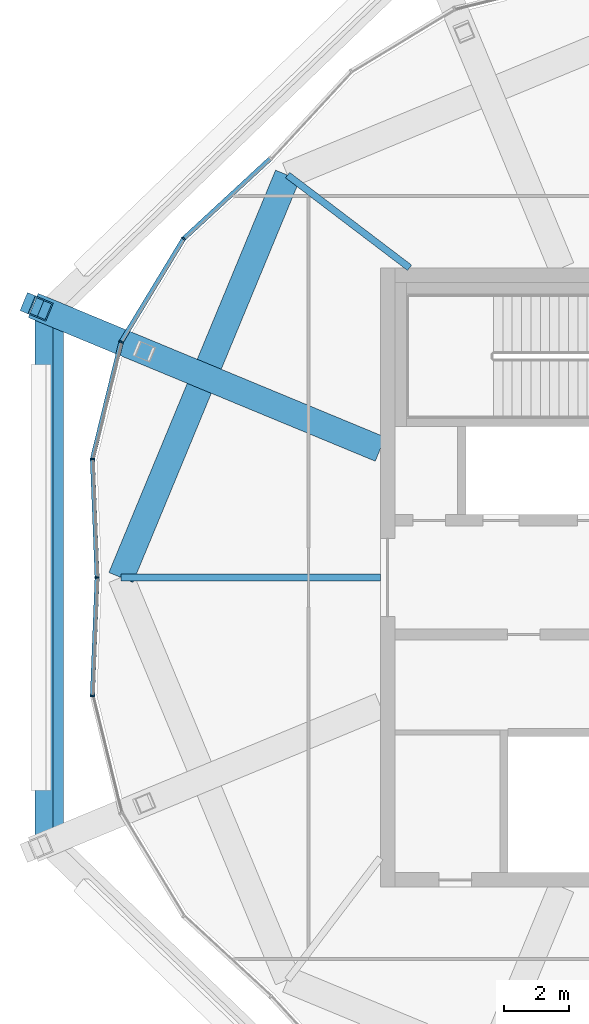
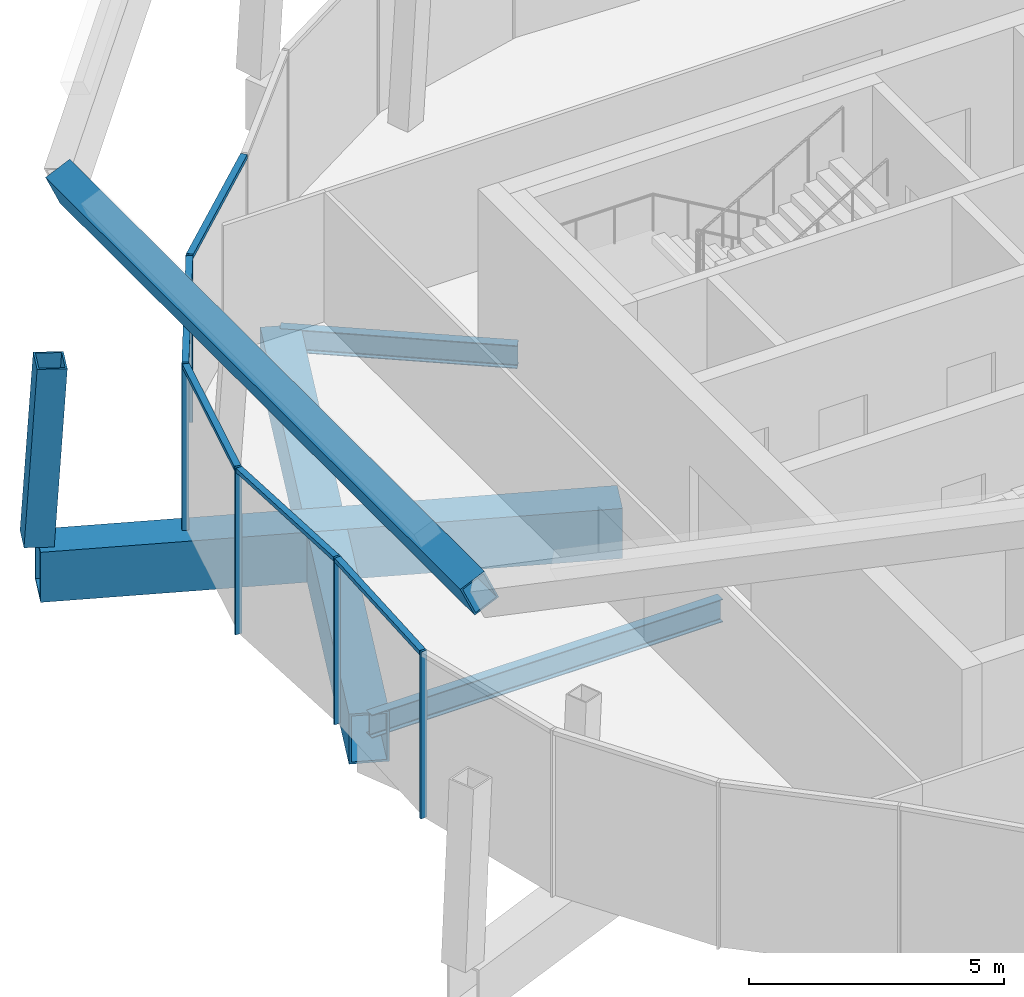
# One storey, part 5 of 34: 11 members, 5 beams, 2 elements without a shape of their own.
"""IFC4 building model written with IfcOpenShell, lengths in metres."""

from ifc_helpers import new_model, si_unit, direction, frame, origin, origin_2d, place, context, subcontext, project, spatial, rectangle, hollow_rectangle, i_section, extrude, material, material_profile, profile_set, type_object, element, aggregate, save


model = new_model("IFC4")

# Units and contexts
model_context = context("Model", 3, precision=1e-05, world=origin(), true_north=direction((0.0, 1.0)))
body_context = subcontext(model_context, "Body", "Model", "MODEL_VIEW")
ifc_project = project(units=[si_unit("LENGTHUNIT", "METRE"), si_unit("AREAUNIT", "SQUARE_METRE"), si_unit("VOLUMEUNIT", "CUBIC_METRE"), si_unit("PLANEANGLEUNIT", "RADIAN"), si_unit("MASSUNIT", "GRAM", prefix="KILO")], contexts=[model_context])

# Site, building, storey
site_placement = place(None, origin())
site = spatial("IfcSite", under=ifc_project, at=site_placement, CompositionType="ELEMENT")
building_placement = place(site_placement, origin())
building = spatial("IfcBuilding", under=site, at=building_placement, Name="Ogive Gate Towers", CompositionType="ELEMENT")
storey_placement = place(building_placement, frame((0.0, 0.0, 294.0)))
storey = spatial("IfcBuildingStorey", under=building, at=storey_placement, Name="L69", CompositionType="ELEMENT", Elevation=294.0)

# Curtain wall, members
ifc_material_1 = material(Name="Pale metal aluminium", Category="aluminium")
curtain_wall_type = type_object("IfcCurtainWallType", Name="Crown lean wall", PredefinedType="NOTDEFINED", material=ifc_material_1)
curtain_wall_1_placement = place(storey_placement, origin())
curtain_wall_1 = element("IfcCurtainWall", 1, at=curtain_wall_1_placement, inside=storey, type_object=curtain_wall_type, Name="CW5 T1 ECW04", PredefinedType="NOTDEFINED")
ifc_material_profile_1 = material_profile(ifc_material_1, rectangle(XDim=0.139892578125, YDim=0.050048828125, at=origin_2d()), Name="50 x 140 aluminium box")
ifc_profile_set_1 = profile_set([ifc_material_profile_1], Name="Pale metal aluminium")
member_type_1 = type_object("IfcMemberType", Name="Crown lean wall mullion 50 x 140", PredefinedType="MULLION", material=ifc_profile_set_1)
member_1_placement = place(storey_placement, frame((-54.18505859375, -0.001220703125, -0.300048828125), z_axis=(0.0, 0.0, 1.0), x_axis=(0.999215271104, 0.039608610093, 0.0)))
member_1 = element("IfcMember", 2, at=member_1_placement, type_object=member_type_1, Name="CW5 mullion", PredefinedType="MULLION", context=body_context, shape_type="SweptSolid", body=[
    extrude(rectangle(XDim=0.139892578125, YDim=0.050048828125, at=origin_2d()), origin(), (0.0, 0.0, 1.0), 4.0),
])
member_2_placement = place(storey_placement, frame((-54.328857421875, 3.633056640625, -0.300048828125), z_axis=(0.0, 0.0, 1.0), x_axis=(0.99497725752, -0.100101233848, 0.0)))
member_2 = element("IfcMember", 3, at=member_2_placement, type_object=member_type_1, Name="CW5 mullion", PredefinedType="MULLION", context=body_context, shape_type="SweptSolid", body=[
    extrude(rectangle(XDim=0.139892578125, YDim=0.050048828125, at=origin_2d()), origin(), (0.0, 0.0, 1.0), 4.0),
])
member_3_placement = place(storey_placement, frame((-53.448486328125, 7.227294921875, -0.300048828125), z_axis=(0.0, 0.0, 1.0), x_axis=(0.923879532511, -0.382683432365, 0.0)))
member_3 = element("IfcMember", 4, at=member_3_placement, type_object=member_type_1, Name="CW5 mullion", PredefinedType="MULLION", context=body_context, shape_type="SweptSolid", body=[
    extrude(rectangle(XDim=0.139892578125, YDim=0.050048828125, at=origin_2d()), origin(), (0.0, 0.0, 1.0), 4.0),
])
member_4_placement = place(storey_placement, frame((-51.529296875, 10.3916015625, -0.300048828125), z_axis=(0.0, 0.0, 1.0), x_axis=(0.77434847103, -0.632759389826, 0.0)))
member_4 = element("IfcMember", 5, at=member_4_placement, type_object=member_type_1, Name="CW5 mullion", PredefinedType="MULLION", context=body_context, shape_type="SweptSolid", body=[
    extrude(rectangle(XDim=0.139892578125, YDim=0.050048828125, at=origin_2d()), origin(), (0.0, 0.0, 1.0), 4.0),
])

# Curtain wall, member
curtain_wall_2_placement = place(storey_placement, origin())
curtain_wall_2 = element("IfcCurtainWall", 6, at=curtain_wall_2_placement, inside=storey, type_object=curtain_wall_type, Name="CW5 T1 ECW05", PredefinedType="NOTDEFINED")
member_5_placement = place(storey_placement, frame((-54.328857421875, -3.633056640625, -0.300048828125), z_axis=(0.0, 0.0, 1.0), x_axis=(0.99497725752, 0.100101233848, 0.0)))
member_5 = element("IfcMember", 7, at=member_5_placement, type_object=member_type_1, Name="CW5 mullion", PredefinedType="MULLION", context=body_context, shape_type="SweptSolid", body=[
    extrude(rectangle(XDim=0.139892578125, YDim=0.050048828125, at=origin_2d()), origin(), (0.0, 0.0, 1.0), 4.0),
])

# Member
ifc_material_profile_2 = material_profile(ifc_material_1, rectangle(XDim=0.139892578125, YDim=0.10009765625, at=origin_2d()), Name="100 x 140 aluminium box")
ifc_profile_set_2 = profile_set([ifc_material_profile_2], Name="Pale metal aluminium")
member_type_2 = type_object("IfcMemberType", Name="Crown lean wall transom 100 x 140", PredefinedType="USERDEFINED", material=ifc_profile_set_2)
member_6_placement = place(storey_placement, frame((-54.18603515625, 0.023681640625, 3.64990234375), z_axis=(-0.039589778104, 0.99921601742, 0.0), x_axis=(-0.99921601742, -0.039589778104, 0.0)))
member_6 = element("IfcMember", 8, at=member_6_placement, type_object=member_type_2, Name="CW5 transom", ObjectType="TRANSOM", PredefinedType="USERDEFINED", context=body_context, shape_type="SweptSolid", body=[
    extrude(rectangle(XDim=0.139892578125, YDim=0.10009765625, at=origin_2d()), origin(), (0.0, 0.0, 1.0), 3.5830078125),
])

member_7_placement = place(storey_placement, frame((-54.322265625, 3.661376953125, 3.64990234375), z_axis=(0.237911321475, 0.971286879925, 0.0), x_axis=(-0.971286879925, 0.237911321475, 0.0)))
member_7 = element("IfcMember", 9, at=member_7_placement, type_object=member_type_2, Name="CW5 transom", ObjectType="TRANSOM", PredefinedType="USERDEFINED", context=body_context, shape_type="SweptSolid", body=[
    extrude(rectangle(XDim=0.139892578125, YDim=0.10009765625, at=origin_2d()), origin(), (0.0, 0.0, 1.0), 3.641845703125),
])

member_8_placement = place(storey_placement, frame((-53.43359375, 7.252685546875, 3.64990234375), z_axis=(0.518629997302, 0.854998787074, 0.0), x_axis=(-0.854998787074, 0.518629997302, 0.0)))
member_8 = element("IfcMember", 10, at=member_8_placement, type_object=member_type_2, Name="CW5 transom", ObjectType="TRANSOM", PredefinedType="USERDEFINED", context=body_context, shape_type="SweptSolid", body=[
    extrude(rectangle(XDim=0.139892578125, YDim=0.10009765625, at=origin_2d()), origin(), (0.0, 0.0, 1.0), 3.64208984375),
])

member_9_placement = place(storey_placement, frame((-51.508056640625, 10.41162109375, 3.64990234375), z_axis=(0.734557828346, 0.678546090414, 0.0), x_axis=(-0.678546090414, 0.734557828346, 0.0)))
member_9 = element("IfcMember", 11, at=member_9_placement, type_object=member_type_2, Name="CW5 transom", ObjectType="TRANSOM", PredefinedType="USERDEFINED", context=body_context, shape_type="SweptSolid", body=[
    extrude(rectangle(XDim=0.139892578125, YDim=0.10009765625, at=origin_2d()), origin(), (0.0, 0.0, 1.0), 3.582763671875),
])

aggregate(curtain_wall_1, [member_1, member_2, member_6, member_3, member_7, member_4, member_8, member_9])

member_10_placement = place(storey_placement, frame((-54.327880859375, -3.603759765625, 3.64990234375), z_axis=(0.039589778104, 0.99921601742, 0.0), x_axis=(-0.99921601742, 0.039589778104, 0.0)))
member_10 = element("IfcMember", 12, at=member_10_placement, type_object=member_type_2, Name="CW5 transom", ObjectType="TRANSOM", PredefinedType="USERDEFINED", context=body_context, shape_type="SweptSolid", body=[
    extrude(rectangle(XDim=0.139892578125, YDim=0.10009765625, at=origin_2d()), origin(), (0.0, 0.0, 1.0), 3.5830078125),
])

aggregate(curtain_wall_2, [member_5, member_10])

ifc_material_2 = material(Name="Steel SM460", Category="steel")
ifc_material_profile_3 = material_profile(ifc_material_2, hollow_rectangle(XDim=0.60009765625, YDim=0.60009765625, WallThickness=0.0400390625, at=origin_2d()), Name="BX 600x600x40")
ifc_profile_set_3 = profile_set([ifc_material_profile_3], Name="Steel SM460")
member_type_3 = type_object("IfcMemberType", Name="Crown rib BX 600x600x40", PredefinedType="MEMBER", material=ifc_profile_set_3)
member_11_placement = place(storey_placement, frame((-56.159423828125, 8.350341796875, -0.25), z_axis=(0.056420201971, -0.023393742281, 0.998133003979), x_axis=(0.3830150227, 0.923742113572, 0.0)))
element("IfcMember", 13, at=member_11_placement, inside=storey, type_object=member_type_3, Name="T1/L69/STR004", PredefinedType="MEMBER", context=body_context, shape_type="SweptSolid", body=[
    extrude(hollow_rectangle(XDim=0.60009765625, YDim=0.60009765625, WallThickness=0.0400390625, at=origin_2d()), origin(), (0.0, 0.0, 1.0), 4.258056640625),
])

# Beams
ifc_material_profile_4 = material_profile(ifc_material_2, hollow_rectangle(XDim=0.60009765625, YDim=0.800048828125, WallThickness=0.0400390625, at=origin_2d()), Name="BX 800x600x40")
ifc_profile_set_4 = profile_set([ifc_material_profile_4], Name="Steel SM460")
beam_type_1 = type_object("IfcBeamType", Name="Crown ring beam BX 800x600x40", PredefinedType="BEAM", material=ifc_profile_set_4)
beam_1_placement = place(storey_placement, frame((-55.653076171875, 8.140625, 8.26953125), z_axis=(0.0, -1.0, 0.0), x_axis=(-0.91281824834, 0.0, -0.408366068006)))
element("IfcBeam", 14, at=beam_1_placement, inside=storey, type_object=beam_type_1, Name="T1/L69/SBM004", PredefinedType="BEAM", context=body_context, shape_type="SweptSolid", body=[
    extrude(hollow_rectangle(XDim=0.60009765625, YDim=0.800048828125, WallThickness=0.0400390625, at=origin_2d()), origin(), (0.0, 0.0, 1.0), 16.28125),
])
ifc_material_profile_5 = material_profile(ifc_material_2, hollow_rectangle(XDim=0.800048828125, YDim=1.199951171875, WallThickness=0.050048828125, at=origin_2d()), Name="BX 1200x800x50")
ifc_profile_set_5 = profile_set([ifc_material_profile_5], Name="Steel SM460")
beam_type_2 = type_object("IfcBeamType", Name="Edge girder BX 1200x800x50", PredefinedType="BEAM", material=ifc_profile_set_5)
beam_2_placement = place(storey_placement, frame((-48.342529296875, 12.342529296875, -0.89990234375), z_axis=(-0.382690191996, -0.923876732551, 0.0), x_axis=(0.923876732551, -0.382690191996, 0.0)))
element("IfcBeam", 15, at=beam_2_placement, inside=storey, type_object=beam_type_2, Name="T1/L69/SBM031", PredefinedType="BEAM", context=body_context, shape_type="SweptSolid", body=[
    extrude(hollow_rectangle(XDim=0.800048828125, YDim=1.199951171875, WallThickness=0.050048828125, at=origin_2d()), origin(), (0.0, 0.0, 1.0), 13.359619140625),
])
ifc_material_3 = material(Name="Steel SM355", Category="steel")
ifc_material_profile_6 = material_profile(ifc_material_3, i_section(OverallWidth=0.2099609375, OverallDepth=0.550048828125, WebThickness=0.010986328125, FlangeThickness=0.01708984375, FilletRadius=0.02392578125, at=origin_2d()), Name="IPE 550")
ifc_profile_set_6 = profile_set([ifc_material_profile_6], Name="Steel SM355")
beam_type_3 = type_object("IfcBeamType", Name="Radial floor beam IPE 550", PredefinedType="BEAM", material=ifc_profile_set_6)
beam_3_placement = place(storey_placement, frame((-44.60009765625, 9.5, -0.574951171875), z_axis=(-0.796338347087, 0.604851417257, 0.0), x_axis=(-0.604851417257, -0.796338347087, 0.0)))
element("IfcBeam", 16, at=beam_3_placement, inside=storey, type_object=beam_type_3, Name="T1/L69/SBM021", PredefinedType="BEAM", context=body_context, shape_type="SweptSolid", body=[
    extrude(i_section(OverallWidth=0.2099609375, OverallDepth=0.550048828125, WebThickness=0.010986328125, FlangeThickness=0.01708984375, FilletRadius=0.02392578125, at=origin_2d()), origin(), (0.0, 0.0, 1.0), 4.699462890625),
])
beam_4_placement = place(storey_placement, frame((-45.5, 0.0, -0.574951171875), z_axis=(-1.0, 0.0, 0.0), x_axis=(0.0, -1.0, 0.0)))
element("IfcBeam", 17, at=beam_4_placement, inside=storey, type_object=beam_type_3, Name="T1/L69/SBM023", PredefinedType="BEAM", context=body_context, shape_type="SweptSolid", body=[
    extrude(i_section(OverallWidth=0.2099609375, OverallDepth=0.550048828125, WebThickness=0.010986328125, FlangeThickness=0.01708984375, FilletRadius=0.02392578125, at=origin_2d()), origin(), (0.0, 0.0, 1.0), 7.955078125),
])
ifc_material_profile_7 = material_profile(ifc_material_2, hollow_rectangle(XDim=0.800048828125, YDim=1.199951171875, WallThickness=0.050048828125, at=origin_2d()), Name="BX 1200x800x50")
ifc_profile_set_7 = profile_set([ifc_material_profile_7], Name="Steel SM460")
beam_type_4 = type_object("IfcBeamType", Name="Transfer radial beam BX 1200x800x50", PredefinedType="BEAM", material=ifc_profile_set_7)
beam_5_placement = place(storey_placement, frame((-45.5, 3.93505859375, -0.89990234375), z_axis=(-0.923879187615, 0.382684265017, 0.0), x_axis=(-0.382684265017, -0.923879187615, 0.0)))
element("IfcBeam", 18, at=beam_5_placement, inside=storey, type_object=beam_type_4, Name="T1/L69/SBM022", PredefinedType="BEAM", context=body_context, shape_type="SweptSolid", body=[
    extrude(hollow_rectangle(XDim=0.800048828125, YDim=1.199951171875, WallThickness=0.050048828125, at=origin_2d()), origin(), (0.0, 0.0, 1.0), 11.5224609375),
])

save(model, "model.ifc")
